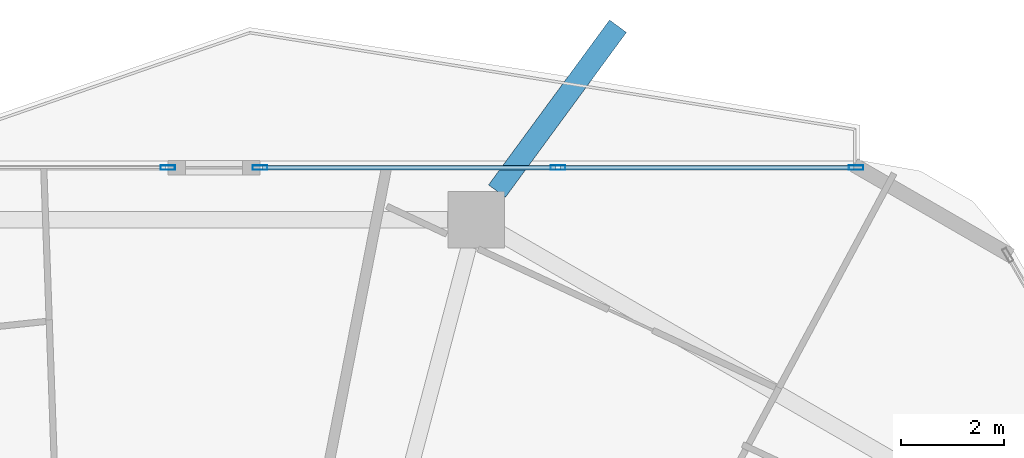
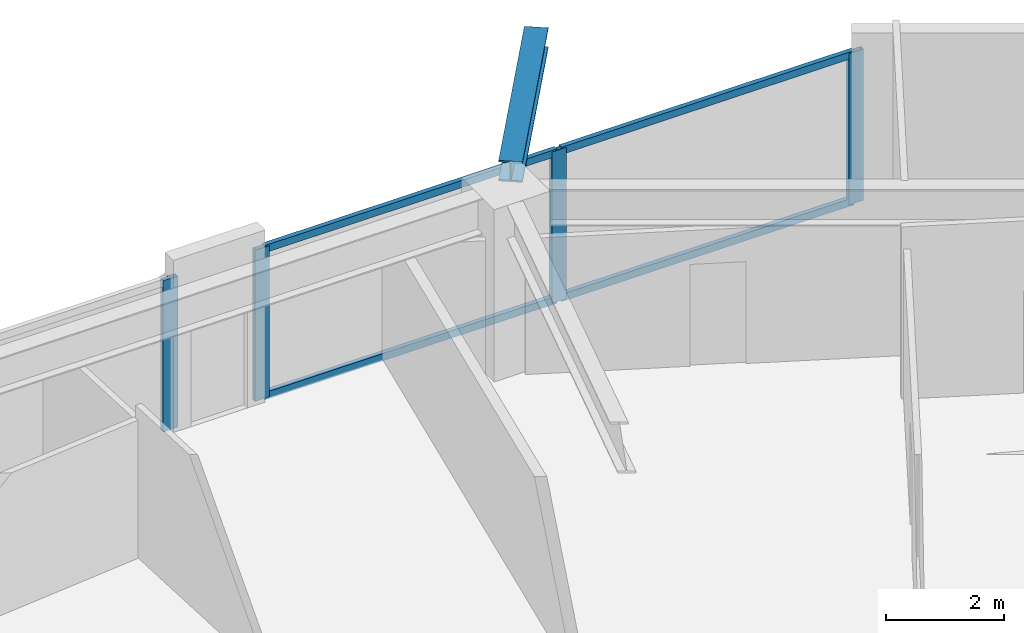
# One storey, part 20 of 33: 8 members, 1 beam, 2 elements without a shape of their own.
"""IFC4 building model written with IfcOpenShell, lengths in metres."""

from ifc_helpers import new_model, si_unit, direction, frame, origin, origin_2d, place, context, subcontext, project, spatial, hollow_rectangle, i_section, extrude, material, material_profile, profile_set, type_object, element, aggregate, save


model = new_model("IFC4")

# Units and contexts
model_context = context("Model", 3, precision=1e-05, world=origin(), true_north=direction((0.0, 1.0)))
body_context = subcontext(model_context, "Body", "Model", "MODEL_VIEW")
ifc_project = project(units=[si_unit("LENGTHUNIT", "METRE"), si_unit("AREAUNIT", "SQUARE_METRE"), si_unit("VOLUMEUNIT", "CUBIC_METRE"), si_unit("PLANEANGLEUNIT", "RADIAN"), si_unit("MASSUNIT", "GRAM", prefix="KILO")], contexts=[model_context])

# Site, building, storey
site_placement = place(None, origin())
site = spatial("IfcSite", under=ifc_project, at=site_placement, CompositionType="ELEMENT")
building_placement = place(site_placement, origin())
building = spatial("IfcBuilding", under=site, at=building_placement, Name="Zuhravey Tower", CompositionType="ELEMENT")
storey_placement = place(building_placement, frame((0.0, 0.0, 103.800048828125)))
storey = spatial("IfcBuildingStorey", under=building, at=storey_placement, Name="L25", CompositionType="ELEMENT", Elevation=103.800048828125)

# Curtain wall, member
ifc_material_1 = material(Name="Thermally broken anodised aluminium", Category="aluminium")
curtain_wall_type = type_object("IfcCurtainWallType", Name="Zone 1-2 Residential Curtain Wall CW3", PredefinedType="NOTDEFINED", material=ifc_material_1)
curtain_wall_1_placement = place(storey_placement, origin())
curtain_wall_1 = element("IfcCurtainWall", 1, at=curtain_wall_1_placement, inside=storey, type_object=curtain_wall_type, Name="L25 CW3 CW-L25-F2-1", PredefinedType="NOTDEFINED")
ifc_material_2 = material(Name="Anodised aluminium", Category="aluminium")
ifc_material_profile_1 = material_profile(ifc_material_2, hollow_rectangle(XDim=0.090087890625, YDim=0.284912109375, WallThickness=0.0048828125, at=origin_2d()), Name="ALU-RHS-90x285x5")
ifc_profile_set_1 = profile_set([ifc_material_profile_1], Name="Anodised aluminium")
member_type_1 = type_object("IfcMemberType", Name="Curtain-Wall Mullion 90x180", PredefinedType="MULLION", material=ifc_profile_set_1)
member_1_placement = place(storey_placement, frame((37.381103515625, 60.95849609375, 0.0), z_axis=(0.0, 0.0, 1.0), x_axis=(0.0, 1.0, 0.0)))
member_1 = element("IfcMember", 2, at=member_1_placement, type_object=member_type_1, Name="CW3 mullion 4", PredefinedType="MULLION", context=body_context, shape_type="SweptSolid", body=[
    extrude(hollow_rectangle(XDim=0.090087890625, YDim=0.284912109375, WallThickness=0.0048828125, at=origin_2d()), origin(), (0.0, 0.0, 1.0), 3.1220703125),
])
aggregate(curtain_wall_1, [member_1])

# Curtain wall, members
curtain_wall_2_placement = place(storey_placement, origin())
curtain_wall_2 = element("IfcCurtainWall", 3, at=curtain_wall_2_placement, inside=storey, type_object=curtain_wall_type, Name="L25 CW3 CW-L25-F2-2", PredefinedType="NOTDEFINED")
member_2_placement = place(storey_placement, frame((39.1708984375, 60.95849609375, 0.0), z_axis=(0.0, 0.0, 1.0), x_axis=(0.0, 1.0, 0.0)))
member_2 = element("IfcMember", 4, at=member_2_placement, type_object=member_type_1, Name="CW3 mullion 1", PredefinedType="MULLION", context=body_context, shape_type="SweptSolid", body=[
    extrude(hollow_rectangle(XDim=0.090087890625, YDim=0.284912109375, WallThickness=0.0048828125, at=origin_2d()), origin(), (0.0, 0.0, 1.0), 3.1220703125),
])
member_3_placement = place(storey_placement, frame((44.962646484375, 60.95849609375, 0.0), z_axis=(0.0, 0.0, 1.0), x_axis=(0.0, 1.0, 0.0)))
member_3 = element("IfcMember", 5, at=member_3_placement, type_object=member_type_1, Name="CW3 mullion 2", PredefinedType="MULLION", context=body_context, shape_type="SweptSolid", body=[
    extrude(hollow_rectangle(XDim=0.090087890625, YDim=0.284912109375, WallThickness=0.0048828125, at=origin_2d()), origin(), (0.0, 0.0, 1.0), 3.1220703125),
])
member_4_placement = place(storey_placement, frame((50.75439453125, 60.95849609375, 0.0), z_axis=(0.0, 0.0, 1.0), x_axis=(0.0, 1.0, 0.0)))
member_4 = element("IfcMember", 6, at=member_4_placement, type_object=member_type_1, Name="CW3 mullion 3", PredefinedType="MULLION", context=body_context, shape_type="SweptSolid", body=[
    extrude(hollow_rectangle(XDim=0.090087890625, YDim=0.284912109375, WallThickness=0.0048828125, at=origin_2d()), origin(), (0.0, 0.0, 1.0), 3.1220703125),
])
ifc_material_profile_2 = material_profile(ifc_material_2, hollow_rectangle(XDim=0.090087890625, YDim=0.14990234375, WallThickness=0.0048828125, at=origin_2d()), Name="ALU-RHS-90x150x5")
ifc_profile_set_2 = profile_set([ifc_material_profile_2], Name="Anodised aluminium")
member_type_2 = type_object("IfcMemberType", Name="Curtain-Wall Transom 90x150", PredefinedType="USERDEFINED", material=ifc_profile_set_2)
member_5_placement = place(storey_placement, frame((39.216064453125, 60.95849609375, 0.044921875), z_axis=(1.0, 0.0, 0.0), x_axis=(0.0, 1.0, 0.0)))
member_5 = element("IfcMember", 7, at=member_5_placement, type_object=member_type_2, Name="CW3 transom 1.1", ObjectType="TRANSOM", PredefinedType="USERDEFINED", context=body_context, shape_type="SweptSolid", body=[
    extrude(hollow_rectangle(XDim=0.090087890625, YDim=0.14990234375, WallThickness=0.0048828125, at=origin_2d()), origin(), (0.0, 0.0, 1.0), 5.70166015625),
])
member_6_placement = place(storey_placement, frame((39.216064453125, 60.95849609375, 3.076904296875), z_axis=(1.0, 0.0, 0.0), x_axis=(0.0, 1.0, 0.0)))
member_6 = element("IfcMember", 8, at=member_6_placement, type_object=member_type_2, Name="CW3 transom 1.2", ObjectType="TRANSOM", PredefinedType="USERDEFINED", context=body_context, shape_type="SweptSolid", body=[
    extrude(hollow_rectangle(XDim=0.090087890625, YDim=0.14990234375, WallThickness=0.0048828125, at=origin_2d()), origin(), (0.0, 0.0, 1.0), 5.70166015625),
])
member_7_placement = place(storey_placement, frame((45.0078125, 60.95849609375, 0.044921875), z_axis=(1.0, 0.0, 0.0), x_axis=(0.0, 1.0, 0.0)))
member_7 = element("IfcMember", 9, at=member_7_placement, type_object=member_type_2, Name="CW3 transom 2.1", ObjectType="TRANSOM", PredefinedType="USERDEFINED", context=body_context, shape_type="SweptSolid", body=[
    extrude(hollow_rectangle(XDim=0.090087890625, YDim=0.14990234375, WallThickness=0.0048828125, at=origin_2d()), origin(), (0.0, 0.0, 1.0), 5.70166015625),
])
member_8_placement = place(storey_placement, frame((45.0078125, 60.95849609375, 3.076904296875), z_axis=(1.0, 0.0, 0.0), x_axis=(0.0, 1.0, 0.0)))
member_8 = element("IfcMember", 10, at=member_8_placement, type_object=member_type_2, Name="CW3 transom 2.2", ObjectType="TRANSOM", PredefinedType="USERDEFINED", context=body_context, shape_type="SweptSolid", body=[
    extrude(hollow_rectangle(XDim=0.090087890625, YDim=0.14990234375, WallThickness=0.0048828125, at=origin_2d()), origin(), (0.0, 0.0, 1.0), 5.70166015625),
])
aggregate(curtain_wall_2, [member_2, member_3, member_4, member_5, member_6, member_7, member_8])

# Beam
ifc_material_3 = material(Name="Steel SM460", Category="steel")
ifc_material_profile_3 = material_profile(ifc_material_3, i_section(OverallWidth=0.406982421875, OverallDepth=0.427978515625, WebThickness=0.02001953125, FlangeThickness=0.034912109375, at=origin_2d()), Name="H-428x407x20x35")
ifc_profile_set_3 = profile_set([ifc_material_profile_3], Name="Steel SM460")
beam_type = type_object("IfcBeamType", Name="Exoskeleton Node Tie Beam H428x407", PredefinedType="BEAM", material=ifc_profile_set_3)
beam_placement = place(storey_placement, frame((43.776123046875, 60.501708984375, 3.3359375), z_axis=(0.591653859, 0.806192105599, 0.0), x_axis=(-0.806192105599, 0.591653859, 0.0)))
element("IfcBeam", 11, at=beam_placement, inside=storey, type_object=beam_type, Name="L25 Exoskeleton Node Tie NT1-03", PredefinedType="BEAM", context=body_context, shape_type="SweptSolid", body=[
    extrude(i_section(OverallWidth=0.406982421875, OverallDepth=0.427978515625, WebThickness=0.02001953125, FlangeThickness=0.034912109375, at=origin_2d()), origin(), (0.0, 0.0, 1.0), 3.974853515625),
])

save(model, "model.ifc")
